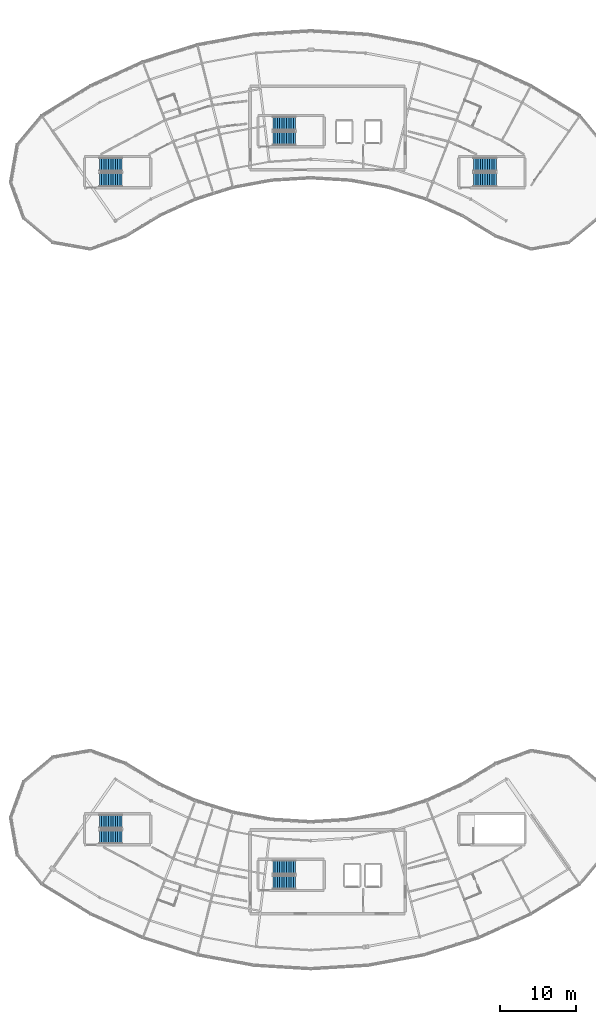
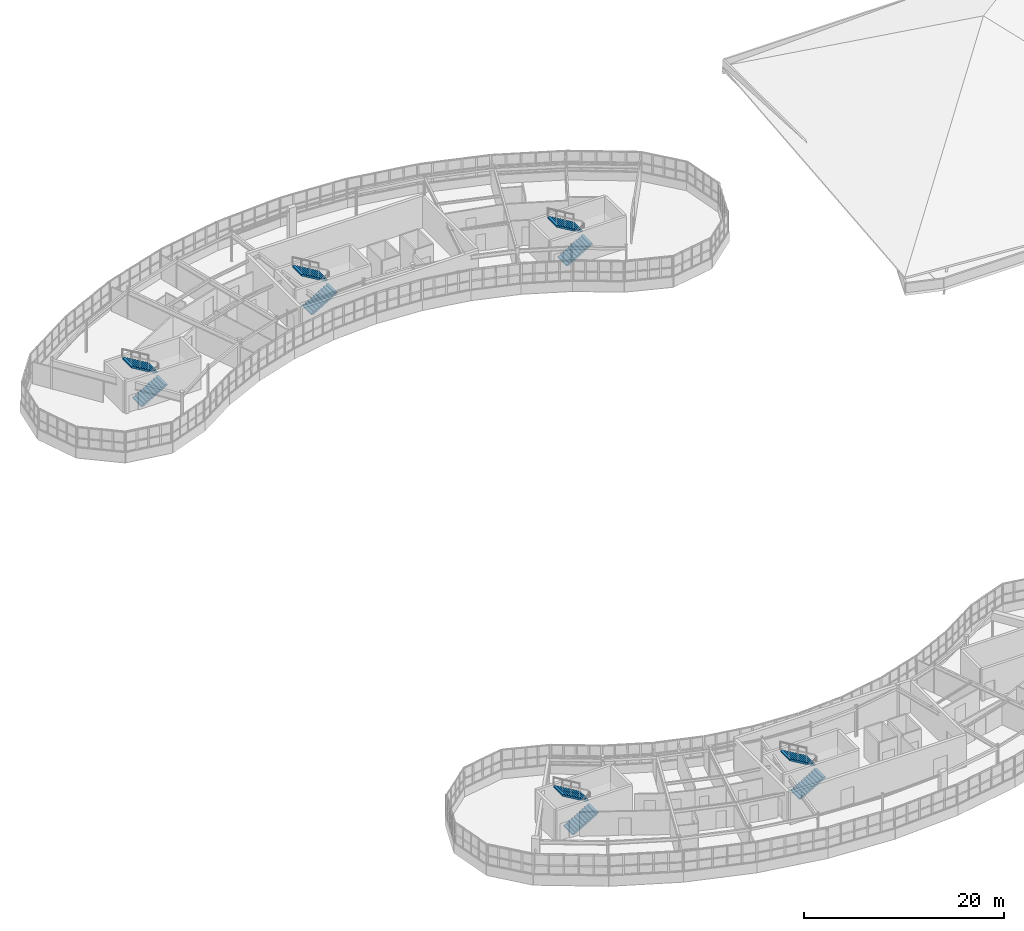
# One storey, part 71 of 79: 10 stair flights, 5 elements without a shape of their own.
"""IFC4 building model written with IfcOpenShell, lengths in metres."""

from ifc_helpers import new_model, si_unit, direction, frame, origin, place, context, subcontext, project, spatial, polyline, outline, extrude, material, type_object, element, aggregate, save


model = new_model("IFC4")

# Units and contexts
model_context = context("Model", 3, precision=1e-05, world=origin(), true_north=direction((0.0, 1.0)))
body_context = subcontext(model_context, "Body", "Model", "MODEL_VIEW")
ifc_project = project(units=[si_unit("LENGTHUNIT", "METRE"), si_unit("AREAUNIT", "SQUARE_METRE"), si_unit("VOLUMEUNIT", "CUBIC_METRE"), si_unit("PLANEANGLEUNIT", "RADIAN"), si_unit("MASSUNIT", "GRAM", prefix="KILO")], contexts=[model_context])

# Site, building, storey
site_placement = place(None, origin())
site = spatial("IfcSite", under=ifc_project, at=site_placement, CompositionType="ELEMENT")
building_placement = place(site_placement, origin())
building = spatial("IfcBuilding", under=site, at=building_placement, Name="Tarnwether General Hospital", CompositionType="ELEMENT")
storey_placement = place(building_placement, frame((0.0, 0.0, 18.300048828125)))
storey = spatial("IfcBuildingStorey", under=building, at=storey_placement, Name="L04", CompositionType="ELEMENT", Elevation=18.300048828125)

# Stair, stair flights
ifc_material_1 = material(Name="Concrete 40 MPa", Category="concrete")
stair_type_1 = type_object("IfcStairType", Name="ST-DL39A", PredefinedType="HALF_TURN_STAIR", material=ifc_material_1)
stair_1_placement = place(storey_placement, origin())
stair_1 = element("IfcStair", 1, at=stair_1_placement, inside=storey, type_object=stair_type_1, Name="L04 Exit Stair ST-01", PredefinedType="HALF_TURN_STAIR")
ifc_material_2 = material(Name="Concrete 40 MPa", Category="concrete")
stair_flight_type_1 = type_object("IfcStairFlightType", Name="SF-39A", PredefinedType="STRAIGHT", material=ifc_material_2)
stair_flight_1_placement = place(storey_placement, frame((87.0, 110.5, 0.0), z_axis=(0.0, 0.0, 1.0), x_axis=(1.0, 0.0, 0.0)))
stair_flight_1 = element("IfcStairFlight", 2, at=stair_flight_1_placement, type_object=stair_flight_type_1, Name="ST-01 flight 1", NumberOfRisers=11, NumberOfTreads=10, PredefinedType="STRAIGHT", RiserHeight=0.177272727, TreadLength=0.3, context=body_context, shape_type="SweptSolid", body=[
    extrude(outline(polyline([(0.0, 0.0), (0.0, 0.17724609375), (0.300048828125, 0.17724609375), (0.300048828125, 0.3544921875), (0.60009765625, 0.3544921875), (0.60009765625, 0.53173828125), (0.89990234375, 0.53173828125), (0.89990234375, 0.708984375), (1.199951171875, 0.708984375), (1.199951171875, 0.886474609375), (1.5, 0.886474609375), (1.5, 1.063720703125), (1.800048828125, 1.063720703125), (1.800048828125, 1.240966796875), (2.10009765625, 1.240966796875), (2.10009765625, 1.418212890625), (2.39990234375, 1.418212890625), (2.39990234375, 1.595458984375), (2.699951171875, 1.595458984375), (2.699951171875, 1.772705078125), (3.0, 1.772705078125), (3.0, 1.949951171875), (3.0, 1.5986328125), (0.294677734375, 0.0), (0.0, 0.0)])), frame((0.0, 0.89990234375, 0.0), z_axis=(0.0, -1.0, 0.0), x_axis=(1.0, 0.0, 0.0)), (0.0, 0.0, 1.0), 1.800048828125),
])
stair_flight_2_placement = place(storey_placement, frame((90.0, 112.5, 1.949951171875), z_axis=(0.0, 0.0, 1.0), x_axis=(-1.0, 0.0, 0.0)))
stair_flight_2 = element("IfcStairFlight", 3, at=stair_flight_2_placement, type_object=stair_flight_type_1, Name="ST-01 flight 2", NumberOfRisers=11, NumberOfTreads=10, PredefinedType="STRAIGHT", RiserHeight=0.177272727, TreadLength=0.3, context=body_context, shape_type="SweptSolid", body=[
    extrude(outline(polyline([(0.0, 0.0), (0.0, 0.17724609375), (0.300048828125, 0.17724609375), (0.300048828125, 0.3544921875), (0.60009765625, 0.3544921875), (0.60009765625, 0.53173828125), (0.89990234375, 0.53173828125), (0.89990234375, 0.708984375), (1.199951171875, 0.708984375), (1.199951171875, 0.886474609375), (1.5, 0.886474609375), (1.5, 1.063720703125), (1.800048828125, 1.063720703125), (1.800048828125, 1.240966796875), (2.10009765625, 1.240966796875), (2.10009765625, 1.418212890625), (2.39990234375, 1.418212890625), (2.39990234375, 1.595458984375), (2.699951171875, 1.595458984375), (2.699951171875, 1.772705078125), (3.0, 1.772705078125), (3.0, 1.949951171875), (3.0, 1.5986328125), (0.294677734375, 0.0), (0.0, 0.0)])), frame((0.0, 0.89990234375, 0.0), z_axis=(0.0, -1.0, 0.0), x_axis=(1.0, 0.0, 0.0)), (0.0, 0.0, 1.0), 1.800048828125),
])
aggregate(stair_1, [stair_flight_1, stair_flight_2])

stair_2_placement = place(storey_placement, origin())
stair_2 = element("IfcStair", 4, at=stair_2_placement, inside=storey, type_object=stair_type_1, Name="L04 Exit Stair ST-07", PredefinedType="HALF_TURN_STAIR")
stair_flight_3_placement = place(storey_placement, frame((64.199951171875, 105.10009765625, 0.0), z_axis=(0.0, 0.0, 1.0), x_axis=(1.0, 0.0, 0.0)))
stair_flight_3 = element("IfcStairFlight", 5, at=stair_flight_3_placement, type_object=stair_flight_type_1, Name="ST-07 flight 1", NumberOfRisers=11, NumberOfTreads=10, PredefinedType="STRAIGHT", RiserHeight=0.177272727, TreadLength=0.3, context=body_context, shape_type="SweptSolid", body=[
    extrude(outline(polyline([(0.0, 0.0), (0.0, 0.17724609375), (0.300048828125, 0.17724609375), (0.300048828125, 0.3544921875), (0.60009765625, 0.3544921875), (0.60009765625, 0.53173828125), (0.89990234375, 0.53173828125), (0.89990234375, 0.708984375), (1.199951171875, 0.708984375), (1.199951171875, 0.886474609375), (1.5, 0.886474609375), (1.5, 1.063720703125), (1.800048828125, 1.063720703125), (1.800048828125, 1.240966796875), (2.10009765625, 1.240966796875), (2.10009765625, 1.418212890625), (2.39990234375, 1.418212890625), (2.39990234375, 1.595458984375), (2.699951171875, 1.595458984375), (2.699951171875, 1.772705078125), (3.0, 1.772705078125), (3.0, 1.949951171875), (3.0, 1.5986328125), (0.294677734375, 0.0), (0.0, 0.0)])), frame((0.0, 0.89990234375, 0.0), z_axis=(0.0, -1.0, 0.0), x_axis=(1.0, 0.0, 0.0)), (0.0, 0.0, 1.0), 1.800048828125),
])
stair_flight_4_placement = place(storey_placement, frame((67.199951171875, 107.10009765625, 1.949951171875), z_axis=(0.0, 0.0, 1.0), x_axis=(-1.0, 0.0, 0.0)))
stair_flight_4 = element("IfcStairFlight", 6, at=stair_flight_4_placement, type_object=stair_flight_type_1, Name="ST-07 flight 2", NumberOfRisers=11, NumberOfTreads=10, PredefinedType="STRAIGHT", RiserHeight=0.177272727, TreadLength=0.3, context=body_context, shape_type="SweptSolid", body=[
    extrude(outline(polyline([(0.0, 0.0), (0.0, 0.17724609375), (0.300048828125, 0.17724609375), (0.300048828125, 0.3544921875), (0.60009765625, 0.3544921875), (0.60009765625, 0.53173828125), (0.89990234375, 0.53173828125), (0.89990234375, 0.708984375), (1.199951171875, 0.708984375), (1.199951171875, 0.886474609375), (1.5, 0.886474609375), (1.5, 1.063720703125), (1.800048828125, 1.063720703125), (1.800048828125, 1.240966796875), (2.10009765625, 1.240966796875), (2.10009765625, 1.418212890625), (2.39990234375, 1.418212890625), (2.39990234375, 1.595458984375), (2.699951171875, 1.595458984375), (2.699951171875, 1.772705078125), (3.0, 1.772705078125), (3.0, 1.949951171875), (3.0, 1.5986328125), (0.294677734375, 0.0), (0.0, 0.0)])), frame((0.0, 0.89990234375, 0.0), z_axis=(0.0, -1.0, 0.0), x_axis=(1.0, 0.0, 0.0)), (0.0, 0.0, 1.0), 1.800048828125),
])
aggregate(stair_2, [stair_flight_3, stair_flight_4])

stair_3_placement = place(storey_placement, origin())
stair_3 = element("IfcStair", 7, at=stair_3_placement, inside=storey, type_object=stair_type_1, Name="L04 Exit Stair ST-09", PredefinedType="HALF_TURN_STAIR")
stair_flight_5_placement = place(storey_placement, frame((64.199951171875, 18.699951171875, 0.0), z_axis=(0.0, 0.0, 1.0), x_axis=(1.0, 0.0, 0.0)))
stair_flight_5 = element("IfcStairFlight", 8, at=stair_flight_5_placement, type_object=stair_flight_type_1, Name="ST-09 flight 1", NumberOfRisers=11, NumberOfTreads=10, PredefinedType="STRAIGHT", RiserHeight=0.177272727, TreadLength=0.3, context=body_context, shape_type="SweptSolid", body=[
    extrude(outline(polyline([(0.0, 0.0), (0.0, 0.17724609375), (0.300048828125, 0.17724609375), (0.300048828125, 0.3544921875), (0.60009765625, 0.3544921875), (0.60009765625, 0.53173828125), (0.89990234375, 0.53173828125), (0.89990234375, 0.708984375), (1.199951171875, 0.708984375), (1.199951171875, 0.886474609375), (1.5, 0.886474609375), (1.5, 1.063720703125), (1.800048828125, 1.063720703125), (1.800048828125, 1.240966796875), (2.10009765625, 1.240966796875), (2.10009765625, 1.418212890625), (2.39990234375, 1.418212890625), (2.39990234375, 1.595458984375), (2.699951171875, 1.595458984375), (2.699951171875, 1.772705078125), (3.0, 1.772705078125), (3.0, 1.949951171875), (3.0, 1.5986328125), (0.294677734375, 0.0), (0.0, 0.0)])), frame((0.0, 0.89990234375, 0.0), z_axis=(0.0, -1.0, 0.0), x_axis=(1.0, 0.0, 0.0)), (0.0, 0.0, 1.0), 1.800048828125),
])
stair_flight_6_placement = place(storey_placement, frame((67.199951171875, 20.699951171875, 1.949951171875), z_axis=(0.0, 0.0, 1.0), x_axis=(-1.0, 0.0, 0.0)))
stair_flight_6 = element("IfcStairFlight", 9, at=stair_flight_6_placement, type_object=stair_flight_type_1, Name="ST-09 flight 2", NumberOfRisers=11, NumberOfTreads=10, PredefinedType="STRAIGHT", RiserHeight=0.177272727, TreadLength=0.3, context=body_context, shape_type="SweptSolid", body=[
    extrude(outline(polyline([(0.0, 0.0), (0.0, 0.17724609375), (0.300048828125, 0.17724609375), (0.300048828125, 0.3544921875), (0.60009765625, 0.3544921875), (0.60009765625, 0.53173828125), (0.89990234375, 0.53173828125), (0.89990234375, 0.708984375), (1.199951171875, 0.708984375), (1.199951171875, 0.886474609375), (1.5, 0.886474609375), (1.5, 1.063720703125), (1.800048828125, 1.063720703125), (1.800048828125, 1.240966796875), (2.10009765625, 1.240966796875), (2.10009765625, 1.418212890625), (2.39990234375, 1.418212890625), (2.39990234375, 1.595458984375), (2.699951171875, 1.595458984375), (2.699951171875, 1.772705078125), (3.0, 1.772705078125), (3.0, 1.949951171875), (3.0, 1.5986328125), (0.294677734375, 0.0), (0.0, 0.0)])), frame((0.0, 0.89990234375, 0.0), z_axis=(0.0, -1.0, 0.0), x_axis=(1.0, 0.0, 0.0)), (0.0, 0.0, 1.0), 1.800048828125),
])
aggregate(stair_3, [stair_flight_5, stair_flight_6])

ifc_material_3 = material(Name="Concrete 40 MPa", Category="concrete")
stair_type_2 = type_object("IfcStairType", Name="ST-DL39B", PredefinedType="HALF_TURN_STAIR", material=ifc_material_3)
stair_4_placement = place(storey_placement, origin())
stair_4 = element("IfcStair", 10, at=stair_4_placement, inside=storey, type_object=stair_type_2, Name="L04 Exit Stair ST-02", PredefinedType="HALF_TURN_STAIR")
ifc_material_4 = material(Name="Concrete 40 MPa", Category="concrete")
stair_flight_type_2 = type_object("IfcStairFlightType", Name="SF-39B", PredefinedType="STRAIGHT", material=ifc_material_4)
stair_flight_7_placement = place(storey_placement, frame((87.0, 12.699951171875, 0.0), z_axis=(0.0, 0.0, 1.0), x_axis=(1.0, 0.0, 0.0)))
stair_flight_7 = element("IfcStairFlight", 11, at=stair_flight_7_placement, type_object=stair_flight_type_2, Name="ST-02 flight 1", NumberOfRisers=11, NumberOfTreads=10, PredefinedType="STRAIGHT", RiserHeight=0.177272727, TreadLength=0.3, context=body_context, shape_type="SweptSolid", body=[
    extrude(outline(polyline([(0.0, 0.0), (0.0, 0.17724609375), (0.300048828125, 0.17724609375), (0.300048828125, 0.3544921875), (0.60009765625, 0.3544921875), (0.60009765625, 0.53173828125), (0.89990234375, 0.53173828125), (0.89990234375, 0.708984375), (1.199951171875, 0.708984375), (1.199951171875, 0.886474609375), (1.5, 0.886474609375), (1.5, 1.063720703125), (1.800048828125, 1.063720703125), (1.800048828125, 1.240966796875), (2.10009765625, 1.240966796875), (2.10009765625, 1.418212890625), (2.39990234375, 1.418212890625), (2.39990234375, 1.595458984375), (2.699951171875, 1.595458984375), (2.699951171875, 1.772705078125), (3.0, 1.772705078125), (3.0, 1.949951171875), (3.0, 1.5986328125), (0.294677734375, 0.0), (0.0, 0.0)])), frame((0.0, 0.89990234375, 0.0), z_axis=(0.0, -1.0, 0.0), x_axis=(1.0, 0.0, 0.0)), (0.0, 0.0, 1.0), 1.800048828125),
])
stair_flight_8_placement = place(storey_placement, frame((90.0, 14.699951171875, 1.949951171875), z_axis=(0.0, 0.0, 1.0), x_axis=(-1.0, 0.0, 0.0)))
stair_flight_8 = element("IfcStairFlight", 12, at=stair_flight_8_placement, type_object=stair_flight_type_2, Name="ST-02 flight 2", NumberOfRisers=11, NumberOfTreads=10, PredefinedType="STRAIGHT", RiserHeight=0.177272727, TreadLength=0.3, context=body_context, shape_type="SweptSolid", body=[
    extrude(outline(polyline([(0.0, 0.0), (0.0, 0.17724609375), (0.300048828125, 0.17724609375), (0.300048828125, 0.3544921875), (0.60009765625, 0.3544921875), (0.60009765625, 0.53173828125), (0.89990234375, 0.53173828125), (0.89990234375, 0.708984375), (1.199951171875, 0.708984375), (1.199951171875, 0.886474609375), (1.5, 0.886474609375), (1.5, 1.063720703125), (1.800048828125, 1.063720703125), (1.800048828125, 1.240966796875), (2.10009765625, 1.240966796875), (2.10009765625, 1.418212890625), (2.39990234375, 1.418212890625), (2.39990234375, 1.595458984375), (2.699951171875, 1.595458984375), (2.699951171875, 1.772705078125), (3.0, 1.772705078125), (3.0, 1.949951171875), (3.0, 1.5986328125), (0.294677734375, 0.0), (0.0, 0.0)])), frame((0.0, 0.89990234375, 0.0), z_axis=(0.0, -1.0, 0.0), x_axis=(1.0, 0.0, 0.0)), (0.0, 0.0, 1.0), 1.800048828125),
])
aggregate(stair_4, [stair_flight_7, stair_flight_8])

stair_5_placement = place(storey_placement, origin())
stair_5 = element("IfcStair", 13, at=stair_5_placement, inside=storey, type_object=stair_type_2, Name="L04 Exit Stair ST-08", PredefinedType="HALF_TURN_STAIR")
stair_flight_9_placement = place(storey_placement, frame((113.39990234375, 105.10009765625, 0.0), z_axis=(0.0, 0.0, 1.0), x_axis=(1.0, 0.0, 0.0)))
stair_flight_9 = element("IfcStairFlight", 14, at=stair_flight_9_placement, type_object=stair_flight_type_2, Name="ST-08 flight 1", NumberOfRisers=11, NumberOfTreads=10, PredefinedType="STRAIGHT", RiserHeight=0.177272727, TreadLength=0.3, context=body_context, shape_type="SweptSolid", body=[
    extrude(outline(polyline([(0.0, 0.0), (0.0, 0.17724609375), (0.300048828125, 0.17724609375), (0.300048828125, 0.3544921875), (0.60009765625, 0.3544921875), (0.60009765625, 0.53173828125), (0.89990234375, 0.53173828125), (0.89990234375, 0.708984375), (1.199951171875, 0.708984375), (1.199951171875, 0.886474609375), (1.5, 0.886474609375), (1.5, 1.063720703125), (1.800048828125, 1.063720703125), (1.800048828125, 1.240966796875), (2.10009765625, 1.240966796875), (2.10009765625, 1.418212890625), (2.39990234375, 1.418212890625), (2.39990234375, 1.595458984375), (2.699951171875, 1.595458984375), (2.699951171875, 1.772705078125), (3.0, 1.772705078125), (3.0, 1.949951171875), (3.0, 1.5986328125), (0.294677734375, 0.0), (0.0, 0.0)])), frame((0.0, 0.89990234375, 0.0), z_axis=(0.0, -1.0, 0.0), x_axis=(1.0, 0.0, 0.0)), (0.0, 0.0, 1.0), 1.800048828125),
])
stair_flight_10_placement = place(storey_placement, frame((116.39990234375, 107.10009765625, 1.949951171875), z_axis=(0.0, 0.0, 1.0), x_axis=(-1.0, 0.0, 0.0)))
stair_flight_10 = element("IfcStairFlight", 15, at=stair_flight_10_placement, type_object=stair_flight_type_2, Name="ST-08 flight 2", NumberOfRisers=11, NumberOfTreads=10, PredefinedType="STRAIGHT", RiserHeight=0.177272727, TreadLength=0.3, context=body_context, shape_type="SweptSolid", body=[
    extrude(outline(polyline([(0.0, 0.0), (0.0, 0.17724609375), (0.300048828125, 0.17724609375), (0.300048828125, 0.3544921875), (0.60009765625, 0.3544921875), (0.60009765625, 0.53173828125), (0.89990234375, 0.53173828125), (0.89990234375, 0.708984375), (1.199951171875, 0.708984375), (1.199951171875, 0.886474609375), (1.5, 0.886474609375), (1.5, 1.063720703125), (1.800048828125, 1.063720703125), (1.800048828125, 1.240966796875), (2.10009765625, 1.240966796875), (2.10009765625, 1.418212890625), (2.39990234375, 1.418212890625), (2.39990234375, 1.595458984375), (2.699951171875, 1.595458984375), (2.699951171875, 1.772705078125), (3.0, 1.772705078125), (3.0, 1.949951171875), (3.0, 1.5986328125), (0.294677734375, 0.0), (0.0, 0.0)])), frame((0.0, 0.89990234375, 0.0), z_axis=(0.0, -1.0, 0.0), x_axis=(1.0, 0.0, 0.0)), (0.0, 0.0, 1.0), 1.800048828125),
])
aggregate(stair_5, [stair_flight_9, stair_flight_10])

save(model, "model.ifc")
